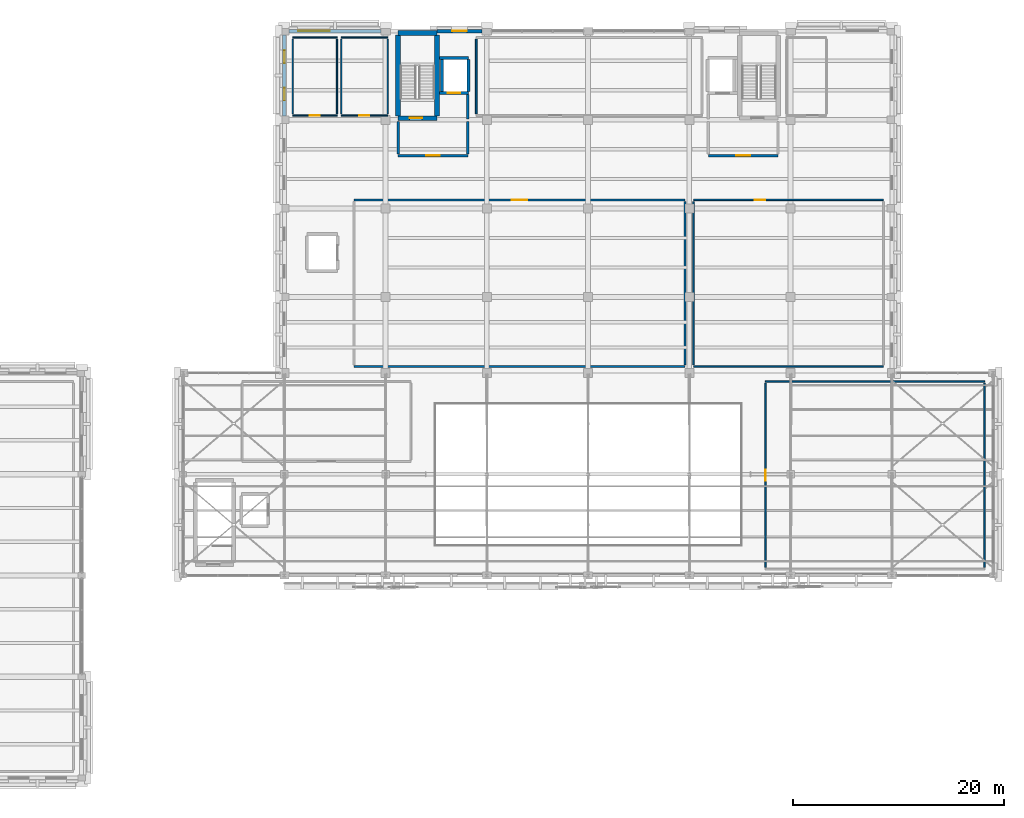
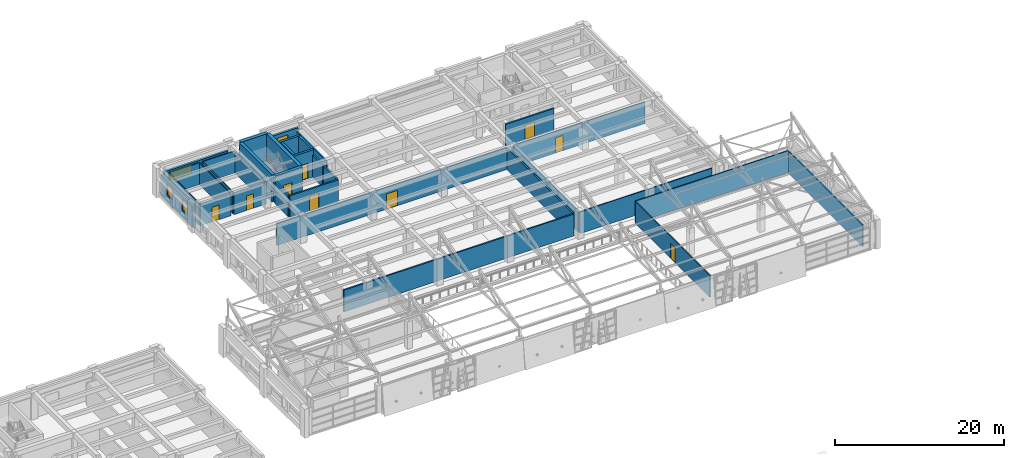
# One storey, part 49 of 58: 34 walls, 9 doors, 4 windows, 13 openings.
"""IFC4 building model written with IfcOpenShell, lengths in metres."""

from ifc_helpers import new_model, si_unit, direction, frame, frame_2d, origin, place, context, subcontext, project, spatial, rectangle, extrude, material, layer, layer_set, type_object, element, fill, save


model = new_model("IFC4")

# Units and contexts
model_context = context("Model", 3, precision=1e-05, world=origin(), true_north=direction((0.0, 1.0)))
body_context = subcontext(model_context, "Body", "Model", "MODEL_VIEW")
ifc_project = project(units=[si_unit("LENGTHUNIT", "METRE"), si_unit("AREAUNIT", "SQUARE_METRE"), si_unit("VOLUMEUNIT", "CUBIC_METRE"), si_unit("PLANEANGLEUNIT", "RADIAN"), si_unit("MASSUNIT", "GRAM", prefix="KILO")], contexts=[model_context])

# Site, building, storey
site_placement = place(None, origin())
site = spatial("IfcSite", under=ifc_project, at=site_placement, CompositionType="ELEMENT")
building_placement = place(site_placement, origin())
building = spatial("IfcBuilding", under=site, at=building_placement, Name="Bempovik Park Faculty of Sciences", CompositionType="ELEMENT")
storey_placement = place(building_placement, frame((0.0, 0.0, 18.300048828125)))
storey = spatial("IfcBuildingStorey", under=building, at=storey_placement, Name="L04", CompositionType="ELEMENT", Elevation=18.300048828125)

# Wall, opening, door
ifc_material_1 = material(Name="Concrete C40/50", Category="concrete")
ifc_layer_1 = layer(ifc_material_1, 0.449951171875)
ifc_layer_set_1 = layer_set([ifc_layer_1], Name="Concrete C40/50")
wall_type_1 = type_object("IfcWallType", Name="W-15 Wall 450mm", PredefinedType="SHEAR", material=ifc_layer_set_1)
wall_1_placement = place(storey_placement, frame((70.77490234375, 111.14990234375, 0.0), z_axis=(0.0, 0.0, 1.0), x_axis=(1.0, 0.0, 0.0)))
wall_1 = element("IfcWall", 1, at=wall_1_placement, inside=storey, type_object=wall_type_1, Name="ST-1 L04 Core Shear Wall South", PredefinedType="SHEAR", context=body_context, shape_type="SweptSolid", body=[
    extrude(rectangle(XDim=3.7001953125, YDim=0.449951171875, at=frame_2d((1.85009765625, 0.0))), origin(), (0.0, 0.0, 1.0), 3.89990234375),
])
opening_1_placement = place(wall_1_placement, frame((1.10009765625, 0.0, 0.0)))
opening_1 = element("IfcOpeningElement", 2, at=opening_1_placement, cuts=wall_1, Name="Opening D-49", PredefinedType="OPENING", context=body_context, shape_type="SweptSolid", body=[
    extrude(rectangle(XDim=1.199951171875, YDim=2.199951171875, at=frame_2d((0.60009765625, 1.10009765625))), frame((0.0, 0.23486328125, 0.0), z_axis=(0.0, -1.0, 0.0), x_axis=(1.0, 0.0, 0.0)), (0.0, 0.0, 1.0), 0.469970703125),
])
ifc_material_2 = material(Name="Painted steel S355", Category="steel")
door_type_1 = type_object("IfcDoorType", Name="D-49 Door 1200x2200", OperationType="NOTDEFINED", PredefinedType="DOOR", material=ifc_material_2)
door_1_placement = place(opening_1_placement, origin())
door_1 = element("IfcDoor", 3, at=door_1_placement, inside=storey, type_object=door_type_1, Name="ST-1 L04 Protected Stair Smoke Door", OperationType="SINGLE_SWING_RIGHT", OverallHeight=2.199951171875, OverallWidth=1.199951171875, PredefinedType="DOOR", context=body_context, shape_type="SweptSolid", body=[
    extrude(rectangle(XDim=1.199951171875, YDim=2.199951171875, at=frame_2d((0.60009765625, 1.10009765625))), frame((0.0, 0.02490234375, 0.0), z_axis=(0.0, -1.0, 0.0), x_axis=(1.0, 0.0, 0.0)), (0.0, 0.0, 1.0), 0.050048828125),
])
fill(opening_1, door_1)

# Walls
for number, where, z_axis, x_axis, name in (
    (4, (70.77490234375, 111.35009765625, 0.0), (0.0, 0.0, 1.0), (0.0, 1.0, 0.0), "ST-1 L04 Core Shear Wall West"),
    (5, (74.47509765625, 111.35009765625, 0.0), (0.0, 0.0, 1.0), (0.0, 1.0, 0.0), "ST-1 L04 Core Shear Wall East"),
):
    element("IfcWall", number, at=place(storey_placement, frame(where, z_axis=z_axis, x_axis=x_axis)), inside=storey, type_object=wall_type_1, Name=name, PredefinedType="SHEAR", context=body_context, shape_type="SweptSolid", body=[
        extrude(rectangle(XDim=7.6748046875, YDim=0.449951171875, at=frame_2d((3.83740234375, 0.0))), origin(), (0.0, 0.0, 1.0), 3.89990234375),
    ])
wall_2_placement = place(storey_placement, frame((70.77490234375, 119.22509765625, 0.0), z_axis=(0.0, 0.0, 1.0), x_axis=(1.0, 0.0, 0.0)))
element("IfcWall", 6, at=wall_2_placement, inside=storey, type_object=wall_type_1, Name="ST-1 L04 Core Shear Wall North", PredefinedType="SHEAR", context=body_context, shape_type="SweptSolid", body=[
    extrude(rectangle(XDim=3.7001953125, YDim=0.449951171875, at=frame_2d((1.85009765625, 0.0))), origin(), (0.0, 0.0, 1.0), 3.89990234375),
])

# Wall, opening, door
ifc_material_3 = material(Name="Gypsum acoustic stud assembly")
ifc_layer_2 = layer(ifc_material_3, 0.1201171875)
ifc_layer_set_2 = layer_set([ifc_layer_2], Name="Gypsum acoustic stud assembly")
wall_type_2 = type_object("IfcWallType", Name="W-17 Wall 120mm", PredefinedType="PARTITIONING", material=ifc_layer_set_2)
wall_3_placement = place(storey_placement, frame((60.800048828125, 111.39990234375, 0.0), z_axis=(0.0, 0.0, 1.0), x_axis=(1.0, 0.0, 0.0)))
wall_3 = element("IfcWall", 7, at=wall_3_placement, inside=storey, type_object=wall_type_2, Name="L04 L04 Male WC Partition South", PredefinedType="PARTITIONING", context=body_context, shape_type="SweptSolid", body=[
    extrude(rectangle(XDim=4.199951171875, YDim=0.1201171875, at=frame_2d((2.10009765625, 0.0))), origin(), (0.0, 0.0, 1.0), 3.14990234375),
])
opening_2_placement = place(wall_3_placement, frame((1.625, 0.0, 0.0)))
opening_2 = element("IfcOpeningElement", 8, at=opening_2_placement, cuts=wall_3, Name="Opening D-56", PredefinedType="OPENING", context=body_context, shape_type="SweptSolid", body=[
    extrude(rectangle(XDim=0.949951171875, YDim=2.10009765625, at=frame_2d((0.47509765625, 1.050048828125))), frame((0.0, 0.070068359375, 0.0), z_axis=(0.0, -1.0, 0.0), x_axis=(1.0, 0.0, 0.0)), (0.0, 0.0, 1.0), 0.14013671875),
])
ifc_material_4 = material(Name="West African hardwood finish", Category="wood")
door_type_2 = type_object("IfcDoorType", Name="D-56 Door 950x2100", OperationType="NOTDEFINED", PredefinedType="DOOR", material=ifc_material_4)
door_2_placement = place(opening_2_placement, origin())
door_2 = element("IfcDoor", 9, at=door_2_placement, inside=storey, type_object=door_type_2, Name="L04 L04 Male WC Door", OperationType="SINGLE_SWING_RIGHT", OverallHeight=2.10009765625, OverallWidth=0.949951171875, PredefinedType="DOOR", context=body_context, shape_type="SweptSolid", body=[
    extrude(rectangle(XDim=0.949951171875, YDim=2.10009765625, at=frame_2d((0.47509765625, 1.050048828125))), frame((0.0, 0.02490234375, 0.0), z_axis=(0.0, -1.0, 0.0), x_axis=(1.0, 0.0, 0.0)), (0.0, 0.0, 1.0), 0.050048828125),
])
fill(opening_2, door_2)

# Walls
wall_4_placement = place(storey_placement, frame((60.800048828125, 118.800048828125, 0.0), z_axis=(0.0, 0.0, 1.0), x_axis=(1.0, 0.0, 0.0)))
element("IfcWall", 10, at=wall_4_placement, inside=storey, type_object=wall_type_2, Name="L04 L04 Male WC Partition North", PredefinedType="PARTITIONING", context=body_context, shape_type="SweptSolid", body=[
    extrude(rectangle(XDim=4.199951171875, YDim=0.1201171875, at=frame_2d((2.10009765625, 0.0))), origin(), (0.0, 0.0, 1.0), 3.14990234375),
])
for number, where, z_axis, x_axis, name in (
    (11, (60.800048828125, 111.56005859375, 0.0), (0.0, 0.0, 1.0), (0.0, 1.0, 0.0), "L04 L04 Male WC Partition West"),
    (12, (65.0, 111.56005859375, 0.0), (0.0, 0.0, 1.0), (0.0, 1.0, 0.0), "L04 L04 Male WC Partition East"),
):
    element("IfcWall", number, at=place(storey_placement, frame(where, z_axis=z_axis, x_axis=x_axis)), inside=storey, type_object=wall_type_2, Name=name, PredefinedType="PARTITIONING", context=body_context, shape_type="SweptSolid", body=[
        extrude(rectangle(XDim=7.079833984375, YDim=0.1201171875, at=frame_2d((3.5400390625, 0.0))), origin(), (0.0, 0.0, 1.0), 3.14990234375),
    ])

# Wall, opening, door
wall_5_placement = place(storey_placement, frame((65.39990234375, 111.39990234375, 0.0), z_axis=(0.0, 0.0, 1.0), x_axis=(1.0, 0.0, 0.0)))
wall_5 = element("IfcWall", 13, at=wall_5_placement, inside=storey, type_object=wall_type_2, Name="L04 L04 Female WC Partition South", PredefinedType="PARTITIONING", context=body_context, shape_type="SweptSolid", body=[
    extrude(rectangle(XDim=4.400146484375, YDim=0.1201171875, at=frame_2d((2.2001953125, 0.0))), origin(), (0.0, 0.0, 1.0), 3.14990234375),
])
opening_3_placement = place(wall_5_placement, frame((1.72509765625, 0.0, 0.0)))
opening_3 = element("IfcOpeningElement", 14, at=opening_3_placement, cuts=wall_5, Name="Opening D-56", PredefinedType="OPENING", context=body_context, shape_type="SweptSolid", body=[
    extrude(rectangle(XDim=0.949951171875, YDim=2.10009765625, at=frame_2d((0.47509765625, 1.050048828125))), frame((0.0, 0.070068359375, 0.0), z_axis=(0.0, -1.0, 0.0), x_axis=(1.0, 0.0, 0.0)), (0.0, 0.0, 1.0), 0.14013671875),
])
door_3_placement = place(opening_3_placement, origin())
door_3 = element("IfcDoor", 15, at=door_3_placement, inside=storey, type_object=door_type_2, Name="L04 L04 Female WC Door", OperationType="SINGLE_SWING_LEFT", OverallHeight=2.10009765625, OverallWidth=0.949951171875, PredefinedType="DOOR", context=body_context, shape_type="SweptSolid", body=[
    extrude(rectangle(XDim=0.949951171875, YDim=2.10009765625, at=frame_2d((0.47509765625, 1.050048828125))), frame((0.0, 0.02490234375, 0.0), z_axis=(0.0, -1.0, 0.0), x_axis=(1.0, 0.0, 0.0)), (0.0, 0.0, 1.0), 0.050048828125),
])
fill(opening_3, door_3)

# Walls
wall_6_placement = place(storey_placement, frame((65.39990234375, 118.800048828125, 0.0), z_axis=(0.0, 0.0, 1.0), x_axis=(1.0, 0.0, 0.0)))
element("IfcWall", 16, at=wall_6_placement, inside=storey, type_object=wall_type_2, Name="L04 L04 Female WC Partition North", PredefinedType="PARTITIONING", context=body_context, shape_type="SweptSolid", body=[
    extrude(rectangle(XDim=4.400146484375, YDim=0.1201171875, at=frame_2d((2.2001953125, 0.0))), origin(), (0.0, 0.0, 1.0), 3.14990234375),
])
for number, where, z_axis, x_axis, name in (
    (17, (65.39990234375, 111.56005859375, 0.0), (0.0, 0.0, 1.0), (0.0, 1.0, 0.0), "L04 L04 Female WC Partition West"),
    (18, (69.800048828125, 111.56005859375, 0.0), (0.0, 0.0, 1.0), (0.0, 1.0, 0.0), "L04 L04 Female WC Partition East"),
):
    element("IfcWall", number, at=place(storey_placement, frame(where, z_axis=z_axis, x_axis=x_axis)), inside=storey, type_object=wall_type_2, Name=name, PredefinedType="PARTITIONING", context=body_context, shape_type="SweptSolid", body=[
        extrude(rectangle(XDim=7.079833984375, YDim=0.1201171875, at=frame_2d((3.5400390625, 0.0))), origin(), (0.0, 0.0, 1.0), 3.14990234375),
    ])
ifc_layer_3 = layer(ifc_material_3, 0.139892578125)
ifc_layer_set_3 = layer_set([ifc_layer_3], Name="Gypsum acoustic stud assembly")
wall_type_3 = type_object("IfcWallType", Name="W-21 Wall 140mm", PredefinedType="PARTITIONING", material=ifc_layer_set_3)
wall_7_placement = place(storey_placement, frame((98.800048828125, 87.60009765625, 0.0), z_axis=(0.0, 0.0, 1.0), x_axis=(1.0, 0.0, 0.0)))
element("IfcWall", 19, at=wall_7_placement, inside=storey, type_object=wall_type_3, Name="L04 Chemical Sciences Write-Up and Offices Partition South", PredefinedType="PARTITIONING", context=body_context, shape_type="SweptSolid", body=[
    extrude(rectangle(XDim=18.0, YDim=0.139892578125, at=frame_2d((9.0, 0.0))), origin(), (0.0, 0.0, 1.0), 3.14990234375),
])

# Wall, opening, door
wall_8_placement = place(storey_placement, frame((98.800048828125, 103.39990234375, 0.0), z_axis=(0.0, 0.0, 1.0), x_axis=(1.0, 0.0, 0.0)))
wall_8 = element("IfcWall", 20, at=wall_8_placement, inside=storey, type_object=wall_type_3, Name="L04 Chemical Sciences Write-Up and Offices Partition North", PredefinedType="PARTITIONING", context=body_context, shape_type="SweptSolid", body=[
    extrude(rectangle(XDim=18.0, YDim=0.139892578125, at=frame_2d((9.0, 0.0))), origin(), (0.0, 0.0, 1.0), 3.14990234375),
])
opening_4_placement = place(wall_8_placement, frame((5.7900390625, 0.0, 0.0)))
opening_4 = element("IfcOpeningElement", 21, at=opening_4_placement, cuts=wall_8, Name="Opening D-12", PredefinedType="OPENING", context=body_context, shape_type="SweptSolid", body=[
    extrude(rectangle(XDim=1.02001953125, YDim=2.199951171875, at=frame_2d((0.510009765625, 1.10009765625))), frame((0.0, 0.080078125, 0.0), z_axis=(0.0, -1.0, 0.0), x_axis=(1.0, 0.0, 0.0)), (0.0, 0.0, 1.0), 0.159912109375),
])
door_type_3 = type_object("IfcDoorType", Name="D-12 Door 1020x2200", OperationType="NOTDEFINED", PredefinedType="DOOR", material=ifc_material_4)
door_4_placement = place(opening_4_placement, origin())
door_4 = element("IfcDoor", 22, at=door_4_placement, inside=storey, type_object=door_type_3, Name="L04 Chemical Sciences Write-Up and Offices Door", OperationType="SINGLE_SWING_RIGHT", OverallHeight=2.199951171875, OverallWidth=1.02001953125, PredefinedType="DOOR", context=body_context, shape_type="SweptSolid", body=[
    extrude(rectangle(XDim=1.02001953125, YDim=2.199951171875, at=frame_2d((0.510009765625, 1.10009765625))), frame((0.0, 0.02490234375, 0.0), z_axis=(0.0, -1.0, 0.0), x_axis=(1.0, 0.0, 0.0)), (0.0, 0.0, 1.0), 0.050048828125),
])
fill(opening_4, door_4)

# Wall
wall_9_placement = place(storey_placement, frame((98.800048828125, 87.760009765625, 0.0), z_axis=(0.0, 0.0, 1.0), x_axis=(0.0, 1.0, 0.0)))
element("IfcWall", 23, at=wall_9_placement, inside=storey, type_object=wall_type_3, Name="L04 Chemical Sciences Write-Up and Offices Partition West", PredefinedType="PARTITIONING", context=body_context, shape_type="SweptSolid", body=[
    extrude(rectangle(XDim=15.47998046875, YDim=0.139892578125, at=frame_2d((7.739990234375, 0.0))), origin(), (0.0, 0.0, 1.0), 3.14990234375),
])

# Wall, opening, door
ifc_layer_4 = layer(ifc_material_1, 0.300048828125)
ifc_layer_set_4 = layer_set([ifc_layer_4], Name="Concrete C40/50")
wall_type_4 = type_object("IfcWallType", Name="W-31 Wall 300mm", PredefinedType="SHEAR", material=ifc_layer_set_4)
wall_10_placement = place(storey_placement, frame((74.699951171875, 113.550048828125, 0.0), z_axis=(0.0, 0.0, 1.0), x_axis=(1.0, 0.0, 0.0)))
wall_10 = element("IfcWall", 24, at=wall_10_placement, inside=storey, type_object=wall_type_4, Name="Lift LF-1 L04 Shaft Wall South", PredefinedType="SHEAR", context=body_context, shape_type="SweptSolid", body=[
    extrude(rectangle(XDim=2.75, YDim=0.300048828125, at=frame_2d((1.375, 0.0))), origin(), (0.0, 0.0, 1.0), 3.89990234375),
])
opening_5_placement = place(wall_10_placement, frame((0.77490234375, 0.0, 0.0)))
opening_5 = element("IfcOpeningElement", 25, at=opening_5_placement, cuts=wall_10, Name="Opening LD-01", PredefinedType="OPENING", context=body_context, shape_type="SweptSolid", body=[
    extrude(rectangle(XDim=1.199951171875, YDim=2.199951171875, at=frame_2d((0.60009765625, 1.10009765625))), frame((0.0, 0.16015625, 0.0), z_axis=(0.0, -1.0, 0.0), x_axis=(1.0, 0.0, 0.0)), (0.0, 0.0, 1.0), 0.320068359375),
])
door_type_4 = type_object("IfcDoorType", Name="LD-01 Door 1200x2200", OperationType="NOTDEFINED", PredefinedType="DOOR", material=ifc_material_2)
door_5_placement = place(opening_5_placement, origin())
door_5 = element("IfcDoor", 26, at=door_5_placement, inside=storey, type_object=door_type_4, Name="Lift LF-1 L04 Sliding Landing Door", OperationType="SLIDING_TO_LEFT", OverallHeight=2.199951171875, OverallWidth=1.199951171875, PredefinedType="DOOR", context=body_context, shape_type="SweptSolid", body=[
    extrude(rectangle(XDim=1.199951171875, YDim=2.199951171875, at=frame_2d((0.60009765625, 1.10009765625))), frame((0.0, 0.02490234375, 0.0), z_axis=(0.0, -1.0, 0.0), x_axis=(1.0, 0.0, 0.0)), (0.0, 0.0, 1.0), 0.050048828125),
])
fill(opening_5, door_5)

# Walls
wall_11_placement = place(storey_placement, frame((74.699951171875, 116.85009765625, 0.0), z_axis=(0.0, 0.0, 1.0), x_axis=(1.0, 0.0, 0.0)))
element("IfcWall", 27, at=wall_11_placement, inside=storey, type_object=wall_type_4, Name="Lift LF-1 L04 Shaft Wall North", PredefinedType="SHEAR", context=body_context, shape_type="SweptSolid", body=[
    extrude(rectangle(XDim=2.75, YDim=0.300048828125, at=frame_2d((1.375, 0.0))), origin(), (0.0, 0.0, 1.0), 3.89990234375),
])
for number, where, z_axis, x_axis, name in (
    (28, (74.949951171875, 113.699951171875, 0.0), (0.0, 0.0, 1.0), (0.0, 1.0, 0.0), "Lift LF-1 L04 Shaft Wall West"),
    (29, (77.449951171875, 113.699951171875, 0.0), (0.0, 0.0, 1.0), (0.0, 1.0, 0.0), "Lift LF-1 L04 Shaft Wall East"),
):
    element("IfcWall", number, at=place(storey_placement, frame(where, z_axis=z_axis, x_axis=x_axis)), inside=storey, type_object=wall_type_4, Name=name, PredefinedType="SHEAR", context=body_context, shape_type="SweptSolid", body=[
        extrude(rectangle(XDim=3.0, YDim=0.300048828125, at=frame_2d((1.5, 0.0))), origin(), (0.0, 0.0, 1.0), 3.89990234375),
    ])

# Wall, opening, door
ifc_material_5 = material(Name="Concrete C35/45", Category="concrete")
ifc_layer_5 = layer(ifc_material_5, 0.219970703125)
ifc_layer_set_5 = layer_set([ifc_layer_5], Name="Concrete C35/45")
wall_type_5 = type_object("IfcWallType", Name="W-38 Wall 220mm", PredefinedType="PARTITIONING", material=ifc_layer_set_5)
wall_12_placement = place(storey_placement, frame((70.800048828125, 107.60009765625, 0.0), z_axis=(0.0, 0.0, 1.0), x_axis=(1.0, 0.0, 0.0)))
wall_12 = element("IfcWall", 30, at=wall_12_placement, inside=storey, type_object=wall_type_5, Name="L04 Firefighting Lift Lobby West Partition South", PredefinedType="PARTITIONING", context=body_context, shape_type="SweptSolid", body=[
    extrude(rectangle(XDim=6.599853515625, YDim=0.219970703125, at=frame_2d((3.2998046875, 0.0))), origin(), (0.0, 0.0, 1.0), 3.14990234375),
])
opening_6_placement = place(wall_12_placement, frame((2.64990234375, 0.0, 0.0)))
opening_6 = element("IfcOpeningElement", 31, at=opening_6_placement, cuts=wall_12, Name="Opening D-38", PredefinedType="OPENING", context=body_context, shape_type="SweptSolid", body=[
    extrude(rectangle(XDim=1.300048828125, YDim=2.199951171875, at=frame_2d((0.64990234375, 1.10009765625))), frame((0.0, 0.1201171875, 0.0), z_axis=(0.0, -1.0, 0.0), x_axis=(1.0, 0.0, 0.0)), (0.0, 0.0, 1.0), 0.239990234375),
])
door_type_5 = type_object("IfcDoorType", Name="D-38 Door 1300x2200", OperationType="NOTDEFINED", PredefinedType="DOOR", material=ifc_material_2)
door_6_placement = place(opening_6_placement, origin())
door_6 = element("IfcDoor", 32, at=door_6_placement, inside=storey, type_object=door_type_5, Name="L04 Firefighting Lift Lobby West Door", OperationType="SINGLE_SWING_RIGHT", OverallHeight=2.199951171875, OverallWidth=1.300048828125, PredefinedType="DOOR", context=body_context, shape_type="SweptSolid", body=[
    extrude(rectangle(XDim=1.300048828125, YDim=2.199951171875, at=frame_2d((0.64990234375, 1.10009765625))), frame((0.0, 0.02490234375, 0.0), z_axis=(0.0, -1.0, 0.0), x_axis=(1.0, 0.0, 0.0)), (0.0, 0.0, 1.0), 0.050048828125),
])
fill(opening_6, door_6)

# Walls
wall_13_placement = place(storey_placement, frame((77.39990234375, 111.080078125, 0.0), z_axis=(0.0, 0.0, 1.0), x_axis=(0.0, 1.0, 0.0)))
element("IfcWall", 33, at=wall_13_placement, inside=storey, type_object=wall_type_5, Name="L04 Firefighting Lobby West Lift Link Wall", PredefinedType="PARTITIONING", context=body_context, shape_type="SweptSolid", body=[
    extrude(rectangle(XDim=2.31982421875, YDim=0.219970703125, at=frame_2d((1.159912109375, 0.0))), origin(), (0.0, 0.0, 1.0), 3.14990234375),
])
for number, where, z_axis, x_axis, name in (
    (34, (70.800048828125, 107.760009765625, 0.0), (0.0, 0.0, 1.0), (0.0, 1.0, 0.0), "L04 Firefighting Lift Lobby West Partition West"),
    (35, (77.39990234375, 107.760009765625, 0.0), (0.0, 0.0, 1.0), (0.0, 1.0, 0.0), "L04 Firefighting Lift Lobby West Partition East"),
):
    element("IfcWall", number, at=place(storey_placement, frame(where, z_axis=z_axis, x_axis=x_axis)), inside=storey, type_object=wall_type_5, Name=name, PredefinedType="PARTITIONING", context=body_context, shape_type="SweptSolid", body=[
        extrude(rectangle(XDim=3.080078125, YDim=0.219970703125, at=frame_2d((1.5400390625, 0.0))), origin(), (0.0, 0.0, 1.0), 3.14990234375),
    ])

# Wall, opening, door
wall_14_placement = place(storey_placement, frame((100.199951171875, 107.60009765625, 0.0), z_axis=(0.0, 0.0, 1.0), x_axis=(1.0, 0.0, 0.0)))
wall_14 = element("IfcWall", 36, at=wall_14_placement, inside=storey, type_object=wall_type_5, Name="L04 Firefighting Lift Lobby East Partition South", PredefinedType="PARTITIONING", context=body_context, shape_type="SweptSolid", body=[
    extrude(rectangle(XDim=6.60009765625, YDim=0.219970703125, at=frame_2d((3.300048828125, 0.0))), origin(), (0.0, 0.0, 1.0), 3.14990234375),
])
opening_7_placement = place(wall_14_placement, frame((2.64990234375, 0.0, 0.0)))
opening_7 = element("IfcOpeningElement", 37, at=opening_7_placement, cuts=wall_14, Name="Opening D-38", PredefinedType="OPENING", context=body_context, shape_type="SweptSolid", body=[
    extrude(rectangle(XDim=1.300048828125, YDim=2.199951171875, at=frame_2d((0.64990234375, 1.10009765625))), frame((0.0, 0.1201171875, 0.0), z_axis=(0.0, -1.0, 0.0), x_axis=(1.0, 0.0, 0.0)), (0.0, 0.0, 1.0), 0.239990234375),
])
door_7_placement = place(opening_7_placement, origin())
door_7 = element("IfcDoor", 38, at=door_7_placement, inside=storey, type_object=door_type_5, Name="L04 Firefighting Lift Lobby East Door", OperationType="SINGLE_SWING_LEFT", OverallHeight=2.199951171875, OverallWidth=1.300048828125, PredefinedType="DOOR", context=body_context, shape_type="SweptSolid", body=[
    extrude(rectangle(XDim=1.300048828125, YDim=2.199951171875, at=frame_2d((0.64990234375, 1.10009765625))), frame((0.0, 0.02490234375, 0.0), z_axis=(0.0, -1.0, 0.0), x_axis=(1.0, 0.0, 0.0)), (0.0, 0.0, 1.0), 0.050048828125),
])
fill(opening_7, door_7)

# Wall
ifc_layer_6 = layer(ifc_material_3, 0.14990234375)
ifc_layer_set_6 = layer_set([ifc_layer_6], Name="Gypsum acoustic stud assembly")
wall_type_6 = type_object("IfcWallType", Name="W-42 Wall 150mm", PredefinedType="PARTITIONING", material=ifc_layer_set_6)
wall_15_placement = place(storey_placement, frame((105.60009765625, 86.199951171875, 0.0), z_axis=(0.0, 0.0, 1.0), x_axis=(1.0, 0.0, 0.0)))
element("IfcWall", 39, at=wall_15_placement, inside=storey, type_object=wall_type_6, Name="L04 Atrium Sawtooth East Seminar Gallery Partition North", PredefinedType="PARTITIONING", context=body_context, shape_type="SweptSolid", body=[
    extrude(rectangle(XDim=20.7998046875, YDim=0.14990234375, at=frame_2d((10.39990234375, 0.0))), origin(), (0.0, 0.0, 1.0), 3.14990234375),
])

# Wall, opening, door
wall_16_placement = place(storey_placement, frame((105.60009765625, 68.56005859375, 0.0), z_axis=(0.0, 0.0, 1.0), x_axis=(0.0, 1.0, 0.0)))
wall_16 = element("IfcWall", 40, at=wall_16_placement, inside=storey, type_object=wall_type_6, Name="L04 Atrium Sawtooth East Seminar Gallery Partition West", PredefinedType="PARTITIONING", context=body_context, shape_type="SweptSolid", body=[
    extrude(rectangle(XDim=17.47998046875, YDim=0.14990234375, at=frame_2d((8.739990234375, 0.0))), origin(), (0.0, 0.0, 1.0), 3.14990234375),
])
opening_8_placement = place(wall_16_placement, frame((8.215087890625, 0.0, 0.0)))
opening_8 = element("IfcOpeningElement", 41, at=opening_8_placement, cuts=wall_16, Name="Opening D-16", PredefinedType="OPENING", context=body_context, shape_type="SweptSolid", body=[
    extrude(rectangle(XDim=1.050048828125, YDim=2.199951171875, at=frame_2d((0.52490234375, 1.10009765625))), frame((0.0, 0.0849609375, 0.0), z_axis=(0.0, -1.0, 0.0), x_axis=(1.0, 0.0, 0.0)), (0.0, 0.0, 1.0), 0.169921875),
])
door_type_6 = type_object("IfcDoorType", Name="D-16 Door 1050x2200", OperationType="NOTDEFINED", PredefinedType="DOOR", material=ifc_material_4)
door_8_placement = place(opening_8_placement, origin())
door_8 = element("IfcDoor", 42, at=door_8_placement, inside=storey, type_object=door_type_6, Name="L04 Atrium Sawtooth East Seminar Gallery Door", OperationType="SINGLE_SWING_RIGHT", OverallHeight=2.199951171875, OverallWidth=1.050048828125, PredefinedType="DOOR", context=body_context, shape_type="SweptSolid", body=[
    extrude(rectangle(XDim=1.050048828125, YDim=2.199951171875, at=frame_2d((0.52490234375, 1.10009765625))), frame((0.0, 0.02490234375, 0.0), z_axis=(0.0, -1.0, 0.0), x_axis=(1.0, 0.0, 0.0)), (0.0, 0.0, 1.0), 0.050048828125),
])
fill(opening_8, door_8)

# Walls
wall_17_placement = place(storey_placement, frame((126.39990234375, 68.56005859375, 0.0), z_axis=(0.0, 0.0, 1.0), x_axis=(0.0, 1.0, 0.0)))
element("IfcWall", 43, at=wall_17_placement, inside=storey, type_object=wall_type_6, Name="L04 Atrium Sawtooth East Seminar Gallery Partition East", PredefinedType="PARTITIONING", context=body_context, shape_type="SweptSolid", body=[
    extrude(rectangle(XDim=17.47998046875, YDim=0.14990234375, at=frame_2d((8.739990234375, 0.0))), origin(), (0.0, 0.0, 1.0), 3.14990234375),
])
wall_18_placement = place(storey_placement, frame((78.199951171875, 111.56005859375, 0.0), z_axis=(0.0, 0.0, 1.0), x_axis=(0.0, 1.0, 0.0)))
element("IfcWall", 44, at=wall_18_placement, inside=storey, type_object=wall_type_6, Name="L04 Spectroscopy Calibration Room Partition West", PredefinedType="PARTITIONING", context=body_context, shape_type="SweptSolid", body=[
    extrude(rectangle(XDim=7.079833984375, YDim=0.14990234375, at=frame_2d((3.5400390625, 0.0))), origin(), (0.0, 0.0, 1.0), 3.14990234375),
])

# Wall, openings, windows
ifc_material_6 = material(Name="Precast concrete C40/50", Category="concrete")
ifc_layer_7 = layer(ifc_material_6, 0.320068359375)
ifc_layer_set_7 = layer_set([ifc_layer_7], Name="Precast concrete C40/50")
wall_type_7 = type_object("IfcWallType", Name="W-56 Wall 320mm", PredefinedType="SOLIDWALL", material=ifc_layer_set_7)
wall_19_placement = place(storey_placement, frame((60.0, 111.35205078125, 0.0), z_axis=(0.0, 0.0, 1.0), x_axis=(0.0, 1.0, 0.0)))
wall_19 = element("IfcWall", 45, at=wall_19_placement, inside=storey, type_object=wall_type_7, Name="L04 Classical Precast Facade Wall EW-L04-9738", PredefinedType="SOLIDWALL", context=body_context, shape_type="SweptSolid", body=[
    extrude(rectangle(XDim=7.696044921875, YDim=0.320068359375, at=frame_2d((3.84814453125, 0.0))), origin(), (0.0, 0.0, 1.0), 3.079833984375),
])
opening_9_placement = place(wall_19_placement, frame((1.477783203125, 0.0, 1.050048828125)))
opening_9 = element("IfcOpeningElement", 46, at=opening_9_placement, cuts=wall_19, Name="Opening WN-62", PredefinedType="OPENING", context=body_context, shape_type="SweptSolid", body=[
    extrude(rectangle(XDim=1.199951171875, YDim=1.64990234375, at=frame_2d((0.60009765625, 0.824951171875))), frame((0.0, 0.169921875, 0.0), z_axis=(0.0, -1.0, 0.0), x_axis=(1.0, 0.0, 0.0)), (0.0, 0.0, 1.0), 0.340087890625),
])
opening_10_placement = place(wall_19_placement, frame((5.01806640625, 0.0, 1.050048828125)))
opening_10 = element("IfcOpeningElement", 47, at=opening_10_placement, cuts=wall_19, Name="Opening WN-62", PredefinedType="OPENING", context=body_context, shape_type="SweptSolid", body=[
    extrude(rectangle(XDim=1.199951171875, YDim=1.64990234375, at=frame_2d((0.60009765625, 0.824951171875))), frame((0.0, 0.169921875, 0.0), z_axis=(0.0, -1.0, 0.0), x_axis=(1.0, 0.0, 0.0)), (0.0, 0.0, 1.0), 0.340087890625),
])
ifc_material_7 = material(Name="Tempered laminated low-E glass", Category="glass")
window_type_1 = type_object("IfcWindowType", Name="WN-62 Window 1200x1650", PartitioningType="SINGLE_PANEL", PredefinedType="WINDOW", material=ifc_material_7)
window_1_placement = place(opening_9_placement, origin())
window_1 = element("IfcWindow", 48, at=window_1_placement, inside=storey, type_object=window_type_1, Name="L04 Window EW-L04-9738-1", OverallHeight=1.64990234375, OverallWidth=1.199951171875, PartitioningType="SINGLE_PANEL", PredefinedType="WINDOW", context=body_context, shape_type="SweptSolid", body=[
    extrude(rectangle(XDim=1.199951171875, YDim=1.64990234375, at=frame_2d((0.60009765625, 0.824951171875))), frame((0.0, 0.030029296875, 0.0), z_axis=(0.0, -1.0, 0.0), x_axis=(1.0, 0.0, 0.0)), (0.0, 0.0, 1.0), 0.06005859375),
])
fill(opening_9, window_1)
window_2_placement = place(opening_10_placement, origin())
window_2 = element("IfcWindow", 49, at=window_2_placement, inside=storey, type_object=window_type_1, Name="L04 Window EW-L04-9738-2", OverallHeight=1.64990234375, OverallWidth=1.199951171875, PartitioningType="SINGLE_PANEL", PredefinedType="WINDOW", context=body_context, shape_type="SweptSolid", body=[
    extrude(rectangle(XDim=1.199951171875, YDim=1.64990234375, at=frame_2d((0.60009765625, 0.824951171875))), frame((0.0, 0.030029296875, 0.0), z_axis=(0.0, -1.0, 0.0), x_axis=(1.0, 0.0, 0.0)), (0.0, 0.0, 1.0), 0.06005859375),
])
fill(opening_10, window_2)

# Wall, opening, window
wall_20_placement = place(storey_placement, frame((60.451904296875, 119.39990234375, 0.0), z_axis=(0.0, 0.0, 1.0), x_axis=(1.0, 0.0, 0.0)))
wall_20 = element("IfcWall", 50, at=wall_20_placement, inside=storey, type_object=wall_type_7, Name="L04 Classical Precast Facade Wall EW-L04-9750", PredefinedType="SOLIDWALL", context=body_context, shape_type="SweptSolid", body=[
    extrude(rectangle(XDim=8.696044921875, YDim=0.320068359375, at=frame_2d((4.34814453125, 0.0))), origin(), (0.0, 0.0, 1.0), 3.079833984375),
])
opening_11_placement = place(wall_20_placement, frame((0.847900390625, 0.0, 1.449951171875)))
opening_11 = element("IfcOpeningElement", 51, at=opening_11_placement, cuts=wall_20, Name="Opening WN-53", PredefinedType="OPENING", context=body_context, shape_type="SweptSolid", body=[
    extrude(rectangle(XDim=3.0, YDim=1.35009765625, at=frame_2d((1.5, 0.675048828125))), frame((0.0, 0.169921875, 0.0), z_axis=(0.0, -1.0, 0.0), x_axis=(1.0, 0.0, 0.0)), (0.0, 0.0, 1.0), 0.340087890625),
])
window_type_2 = type_object("IfcWindowType", Name="WN-53 Window 3000x1350", PartitioningType="SINGLE_PANEL", PredefinedType="WINDOW", material=ifc_material_7)
window_3_placement = place(opening_11_placement, origin())
window_3 = element("IfcWindow", 52, at=window_3_placement, inside=storey, type_object=window_type_2, Name="L04 Window EW-L04-9750-1", OverallHeight=1.35009765625, OverallWidth=3.0, PartitioningType="SINGLE_PANEL", PredefinedType="WINDOW", context=body_context, shape_type="SweptSolid", body=[
    extrude(rectangle(XDim=3.0, YDim=1.35009765625, at=frame_2d((1.5, 0.675048828125))), frame((0.0, 0.030029296875, 0.0), z_axis=(0.0, -1.0, 0.0), x_axis=(1.0, 0.0, 0.0)), (0.0, 0.0, 1.0), 0.06005859375),
])
fill(opening_11, window_3)

wall_21_placement = place(storey_placement, frame((74.47607421875, 119.39990234375, 0.0), z_axis=(0.0, 0.0, 1.0), x_axis=(1.0, 0.0, 0.0)))
wall_21 = element("IfcWall", 53, at=wall_21_placement, inside=storey, type_object=wall_type_7, Name="L04 Classical Precast Facade Wall EW-L04-9761", PredefinedType="SOLIDWALL", context=body_context, shape_type="SweptSolid", body=[
    extrude(rectangle(XDim=4.27197265625, YDim=0.320068359375, at=frame_2d((2.135986328125, 0.0))), origin(), (0.0, 0.0, 1.0), 3.079833984375),
])
opening_12_placement = place(wall_21_placement, frame((1.43603515625, 0.0, 0.89990234375)))
opening_12 = element("IfcOpeningElement", 54, at=opening_12_placement, cuts=wall_21, Name="Opening WN-84", PredefinedType="OPENING", context=body_context, shape_type="SweptSolid", body=[
    extrude(rectangle(XDim=1.39990234375, YDim=1.64990234375, at=frame_2d((0.699951171875, 0.824951171875))), frame((0.0, 0.169921875, 0.0), z_axis=(0.0, -1.0, 0.0), x_axis=(1.0, 0.0, 0.0)), (0.0, 0.0, 1.0), 0.340087890625),
])
window_type_3 = type_object("IfcWindowType", Name="WN-84 Window 1400x1650", PartitioningType="SINGLE_PANEL", PredefinedType="WINDOW", material=ifc_material_7)
window_4_placement = place(opening_12_placement, origin())
window_4 = element("IfcWindow", 55, at=window_4_placement, inside=storey, type_object=window_type_3, Name="L04 Stairwell Classical Lancet Window EW-L04-9761", OverallHeight=1.64990234375, OverallWidth=1.39990234375, PartitioningType="SINGLE_PANEL", PredefinedType="WINDOW", context=body_context, shape_type="SweptSolid", body=[
    extrude(rectangle(XDim=1.39990234375, YDim=1.64990234375, at=frame_2d((0.699951171875, 0.824951171875))), frame((0.0, 0.030029296875, 0.0), z_axis=(0.0, -1.0, 0.0), x_axis=(1.0, 0.0, 0.0)), (0.0, 0.0, 1.0), 0.06005859375),
])
fill(opening_12, window_4)

# Wall
ifc_layer_8 = layer(ifc_material_5, 0.199951171875)
ifc_layer_set_8 = layer_set([ifc_layer_8], Name="Concrete C35/45")
wall_type_8 = type_object("IfcWallType", Name="W-59 Wall 200mm", PredefinedType="PARTITIONING", material=ifc_layer_set_8)
wall_22_placement = place(storey_placement, frame((66.60009765625, 87.60009765625, 0.0), z_axis=(0.0, 0.0, 1.0), x_axis=(1.0, 0.0, 0.0)))
element("IfcWall", 56, at=wall_22_placement, inside=storey, type_object=wall_type_8, Name="L04 Catalysis and Green Chemistry Laboratory Partition South", PredefinedType="PARTITIONING", context=body_context, shape_type="SweptSolid", body=[
    extrude(rectangle(XDim=31.39990234375, YDim=0.199951171875, at=frame_2d((15.699951171875, 0.0))), origin(), (0.0, 0.0, 1.0), 3.14990234375),
])

# Wall, opening, door
wall_23_placement = place(storey_placement, frame((66.60009765625, 103.39990234375, 0.0), z_axis=(0.0, 0.0, 1.0), x_axis=(1.0, 0.0, 0.0)))
wall_23 = element("IfcWall", 57, at=wall_23_placement, inside=storey, type_object=wall_type_8, Name="L04 Catalysis and Green Chemistry Laboratory Partition North", PredefinedType="PARTITIONING", context=body_context, shape_type="SweptSolid", body=[
    extrude(rectangle(XDim=31.39990234375, YDim=0.199951171875, at=frame_2d((15.699951171875, 0.0))), origin(), (0.0, 0.0, 1.0), 3.14990234375),
])
opening_13_placement = place(wall_23_placement, frame((14.949951171875, 0.0, 0.0)))
opening_13 = element("IfcOpeningElement", 58, at=opening_13_placement, cuts=wall_23, Name="Opening D-22", PredefinedType="OPENING", context=body_context, shape_type="SweptSolid", body=[
    extrude(rectangle(XDim=1.5, YDim=2.199951171875, at=frame_2d((0.75, 1.10009765625))), frame((0.0, 0.10986328125, 0.0), z_axis=(0.0, -1.0, 0.0), x_axis=(1.0, 0.0, 0.0)), (0.0, 0.0, 1.0), 0.219970703125),
])
door_type_7 = type_object("IfcDoorType", Name="D-22 Door 1500x2200", OperationType="NOTDEFINED", PredefinedType="DOOR", material=ifc_material_4)
door_9_placement = place(opening_13_placement, origin())
door_9 = element("IfcDoor", 59, at=door_9_placement, inside=storey, type_object=door_type_7, Name="L04 Catalysis and Green Chemistry Laboratory Door", OperationType="SINGLE_SWING_LEFT", OverallHeight=2.199951171875, OverallWidth=1.5, PredefinedType="DOOR", context=body_context, shape_type="SweptSolid", body=[
    extrude(rectangle(XDim=1.5, YDim=2.199951171875, at=frame_2d((0.75, 1.10009765625))), frame((0.0, 0.02490234375, 0.0), z_axis=(0.0, -1.0, 0.0), x_axis=(1.0, 0.0, 0.0)), (0.0, 0.0, 1.0), 0.050048828125),
])
fill(opening_13, door_9)

# Wall
wall_24_placement = place(storey_placement, frame((98.0, 87.760009765625, 0.0), z_axis=(0.0, 0.0, 1.0), x_axis=(0.0, 1.0, 0.0)))
element("IfcWall", 60, at=wall_24_placement, inside=storey, type_object=wall_type_8, Name="L04 Catalysis and Green Chemistry Laboratory Partition East", PredefinedType="PARTITIONING", context=body_context, shape_type="SweptSolid", body=[
    extrude(rectangle(XDim=15.47998046875, YDim=0.199951171875, at=frame_2d((7.739990234375, 0.0))), origin(), (0.0, 0.0, 1.0), 3.14990234375),
])

save(model, "model.ifc")
